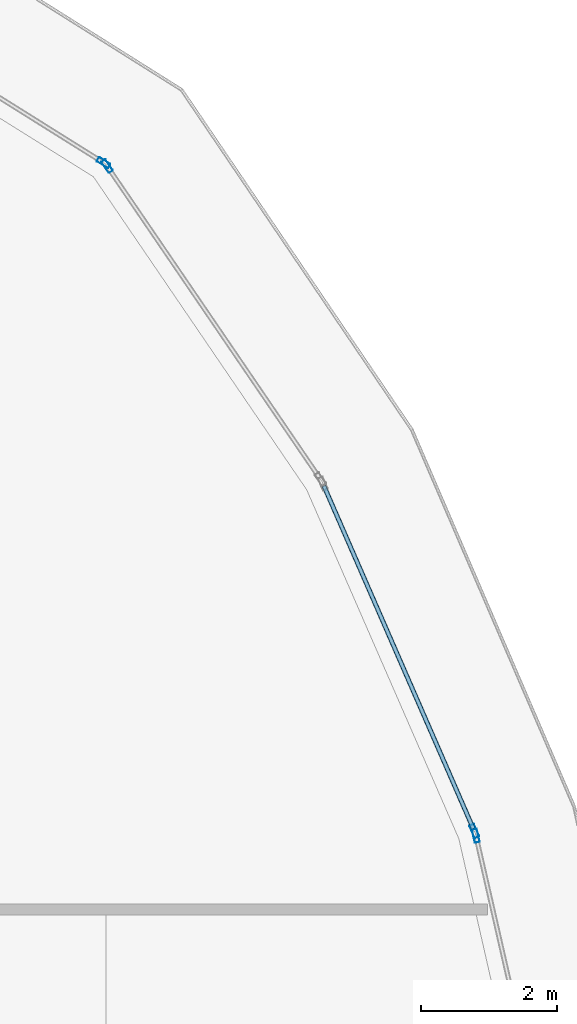
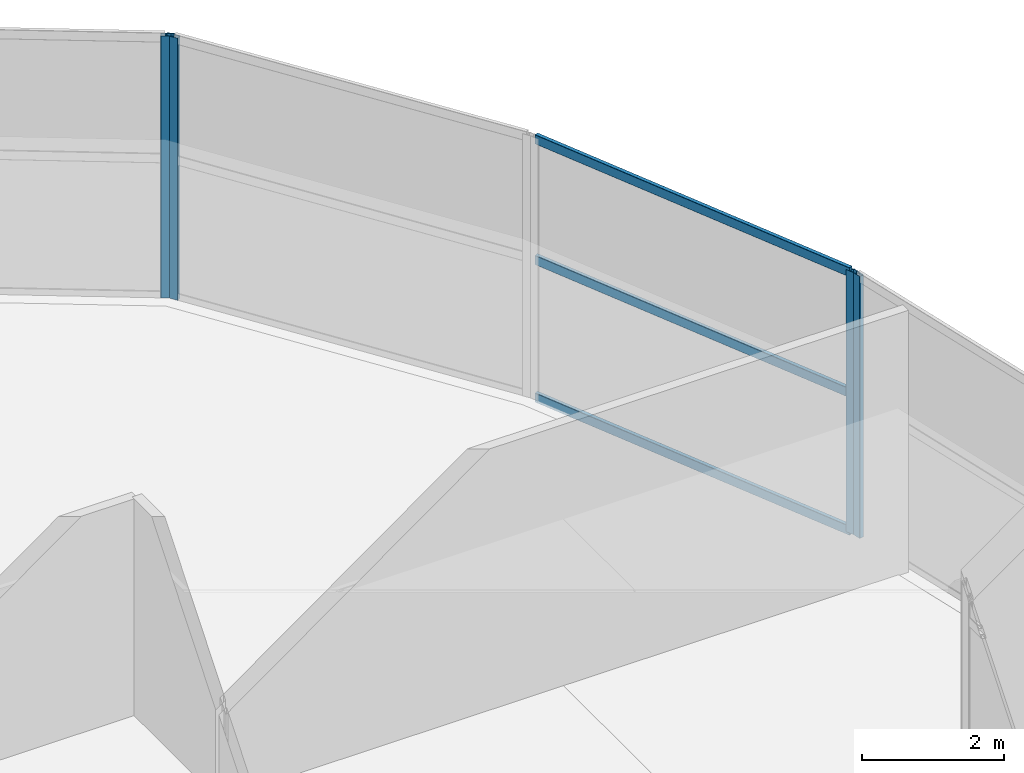
# One storey, part 22 of 36: 7 members, 4 elements without a shape of their own.
"""IFC4 building model written with IfcOpenShell, lengths in metres."""

from ifc_helpers import new_model, si_unit, direction, frame, origin, origin_2d, place, context, subcontext, project, spatial, hollow_rectangle, extrude, material, layer, layer_set, material_profile, profile_set, type_object, element, aggregate, save


model = new_model("IFC4")

# Units and contexts
model_context = context("Model", 3, precision=1e-05, world=origin(), true_north=direction((0.0, 1.0)))
body_context = subcontext(model_context, "Body", "Model", "MODEL_VIEW")
ifc_project = project(units=[si_unit("LENGTHUNIT", "METRE"), si_unit("AREAUNIT", "SQUARE_METRE"), si_unit("VOLUMEUNIT", "CUBIC_METRE"), si_unit("PLANEANGLEUNIT", "RADIAN"), si_unit("MASSUNIT", "GRAM", prefix="KILO")], contexts=[model_context])

# Site, building, storey
site_placement = place(None, origin())
site = spatial("IfcSite", under=ifc_project, at=site_placement, CompositionType="ELEMENT")
building_placement = place(site_placement, origin())
building = spatial("IfcBuilding", under=site, at=building_placement, Name="Qorvath Tower", CompositionType="ELEMENT")
storey_placement = place(building_placement, frame((0.0, 0.0, 255.0)))
storey = spatial("IfcBuildingStorey", under=building, at=storey_placement, Name="L59", CompositionType="ELEMENT", Elevation=255.0)

# Curtain wall, member
ifc_material_1 = material(Name="Anodised aluminium and triple low-E glass", Category="aluminium")
ifc_layer = layer(ifc_material_1, 0.179931640625)
ifc_layer_set = layer_set([ifc_layer], Name="CW-SYS-5")
curtain_wall_type = type_object("IfcCurtainWallType", Name="CW-SYS-5", PredefinedType="NOTDEFINED", material=ifc_layer_set)
curtain_wall_1_placement = place(storey_placement, origin())
curtain_wall_1 = element("IfcCurtainWall", 1, at=curtain_wall_1_placement, inside=storey, type_object=curtain_wall_type, Name="Curtain Wall CW-5 CW-T-L59-11.1", PredefinedType="NOTDEFINED")
ifc_material_2 = material(Name="Anodised aluminium 6063-T6", Category="aluminium")
ifc_material_profile_1 = material_profile(ifc_material_2, hollow_rectangle(XDim=0.074951171875, YDim=0.199951171875, WallThickness=0.00390625, InnerFilletRadius=0.00390625, OuterFilletRadius=0.008056640625, at=origin_2d()), Name="CWM 200x75")
ifc_profile_set_1 = profile_set([ifc_material_profile_1], Name="Anodised aluminium 6063-T6")
member_type_1 = type_object("IfcMemberType", Name="CWM-200", PredefinedType="MULLION", material=ifc_profile_set_1)
member_1_placement = place(storey_placement, frame((-2.172119140625, 9.43505859375, 0.0), z_axis=(0.0, 0.0, 1.0), x_axis=(-0.97497120511, -0.22233117012, 0.0)))
member_1 = element("IfcMember", 2, at=member_1_placement, type_object=member_type_1, Name="CW-5 mullion 2", PredefinedType="MULLION", context=body_context, shape_type="SweptSolid", body=[
    extrude(hollow_rectangle(XDim=0.074951171875, YDim=0.199951171875, WallThickness=0.00390625, InnerFilletRadius=0.00390625, OuterFilletRadius=0.008056640625, at=origin_2d()), origin(), (0.0, 0.0, 1.0), 4.510009765625),
])
aggregate(curtain_wall_1, [member_1])

curtain_wall_2_placement = place(storey_placement, origin())
curtain_wall_2 = element("IfcCurtainWall", 3, at=curtain_wall_2_placement, inside=storey, type_object=curtain_wall_type, Name="Curtain Wall CW-5 CW-T-L59-12.1", PredefinedType="NOTDEFINED")
member_2_placement = place(storey_placement, frame((-2.1953125, 9.506103515625, 0.0), z_axis=(0.0, 0.0, 1.0), x_axis=(-0.916660953687, -0.399665730312, 0.0)))
member_2 = element("IfcMember", 4, at=member_2_placement, type_object=member_type_1, Name="CW-5 mullion 1", PredefinedType="MULLION", context=body_context, shape_type="SweptSolid", body=[
    extrude(hollow_rectangle(XDim=0.074951171875, YDim=0.199951171875, WallThickness=0.00390625, InnerFilletRadius=0.00390625, OuterFilletRadius=0.008056640625, at=origin_2d()), origin(), (0.0, 0.0, 1.0), 4.510009765625),
])

curtain_wall_3_placement = place(storey_placement, origin())
curtain_wall_3 = element("IfcCurtainWall", 5, at=curtain_wall_3_placement, inside=storey, type_object=curtain_wall_type, Name="Curtain Wall CW-5 CW-T-L59-13.1", PredefinedType="NOTDEFINED")
member_3_placement = place(storey_placement, frame((-7.609375, 19.3076171875, 0.0), z_axis=(0.0, 0.0, 1.0), x_axis=(-0.826378685409, -0.563114791407, 0.0)))
member_3 = element("IfcMember", 6, at=member_3_placement, type_object=member_type_1, Name="CW-5 mullion 2", PredefinedType="MULLION", context=body_context, shape_type="SweptSolid", body=[
    extrude(hollow_rectangle(XDim=0.074951171875, YDim=0.199951171875, WallThickness=0.00390625, InnerFilletRadius=0.00390625, OuterFilletRadius=0.008056640625, at=origin_2d()), origin(), (0.0, 0.0, 1.0), 4.510009765625),
])
aggregate(curtain_wall_3, [member_3])

curtain_wall_4_placement = place(storey_placement, origin())
curtain_wall_4 = element("IfcCurtainWall", 7, at=curtain_wall_4_placement, inside=storey, type_object=curtain_wall_type, Name="Curtain Wall CW-5 CW-T-L59-14.1", PredefinedType="NOTDEFINED")
member_4_placement = place(storey_placement, frame((-7.662109375, 19.3583984375, 0.0), z_axis=(0.0, 0.0, 1.0), x_axis=(-0.530464464721, -0.847707173302, 0.0)))
member_4 = element("IfcMember", 8, at=member_4_placement, type_object=member_type_1, Name="CW-5 mullion 1", PredefinedType="MULLION", context=body_context, shape_type="SweptSolid", body=[
    extrude(hollow_rectangle(XDim=0.074951171875, YDim=0.199951171875, WallThickness=0.00390625, InnerFilletRadius=0.00390625, OuterFilletRadius=0.008056640625, at=origin_2d()), origin(), (0.0, 0.0, 1.0), 4.510009765625),
])
aggregate(curtain_wall_4, [member_4])

# Member
ifc_material_3 = material(Name="Anodised aluminium 6063-T6", Category="aluminium")
ifc_material_profile_2 = material_profile(ifc_material_3, hollow_rectangle(XDim=0.06494140625, YDim=0.159912109375, WallThickness=0.00341796875, InnerFilletRadius=0.00341796875, OuterFilletRadius=0.007080078125, at=origin_2d()), Name="CWT 160x65")
ifc_profile_set_2 = profile_set([ifc_material_profile_2], Name="Anodised aluminium 6063-T6")
member_type_2 = type_object("IfcMemberType", Name="CWT-160", PredefinedType="USERDEFINED", material=ifc_profile_set_2)
member_5_placement = place(storey_placement, frame((-2.21044921875, 9.54052734375, 0.032470703125), z_axis=(-0.39965414968, 0.916666002775, 0.0), x_axis=(-0.916666002775, -0.39965414968, 0.0)))
member_5 = element("IfcMember", 9, at=member_5_placement, type_object=member_type_2, Name="CW-5 transom 1.1", ObjectType="TRANSOM", PredefinedType="USERDEFINED", context=body_context, shape_type="SweptSolid", body=[
    extrude(hollow_rectangle(XDim=0.06494140625, YDim=0.159912109375, WallThickness=0.00341796875, InnerFilletRadius=0.00341796875, OuterFilletRadius=0.007080078125, at=origin_2d()), origin(), (0.0, 0.0, 1.0), 5.5107421875),
])

member_6_placement = place(storey_placement, frame((-2.21044921875, 9.54052734375, 2.39990234375), z_axis=(-0.39965414968, 0.916666002775, 0.0), x_axis=(-0.916666002775, -0.39965414968, 0.0)))
member_6 = element("IfcMember", 10, at=member_6_placement, type_object=member_type_2, Name="CW-5 transom 1.2", ObjectType="TRANSOM", PredefinedType="USERDEFINED", context=body_context, shape_type="SweptSolid", body=[
    extrude(hollow_rectangle(XDim=0.06494140625, YDim=0.159912109375, WallThickness=0.00341796875, InnerFilletRadius=0.00341796875, OuterFilletRadius=0.007080078125, at=origin_2d()), origin(), (0.0, 0.0, 1.0), 5.5107421875),
])

member_7_placement = place(storey_placement, frame((-2.21044921875, 9.54052734375, 4.4775390625), z_axis=(-0.39965414968, 0.916666002775, 0.0), x_axis=(-0.916666002775, -0.39965414968, 0.0)))
member_7 = element("IfcMember", 11, at=member_7_placement, type_object=member_type_2, Name="CW-5 transom 1.3", ObjectType="TRANSOM", PredefinedType="USERDEFINED", context=body_context, shape_type="SweptSolid", body=[
    extrude(hollow_rectangle(XDim=0.06494140625, YDim=0.159912109375, WallThickness=0.00341796875, InnerFilletRadius=0.00341796875, OuterFilletRadius=0.007080078125, at=origin_2d()), origin(), (0.0, 0.0, 1.0), 5.5107421875),
])

aggregate(curtain_wall_2, [member_2, member_5, member_6, member_7])

save(model, "model.ifc")
